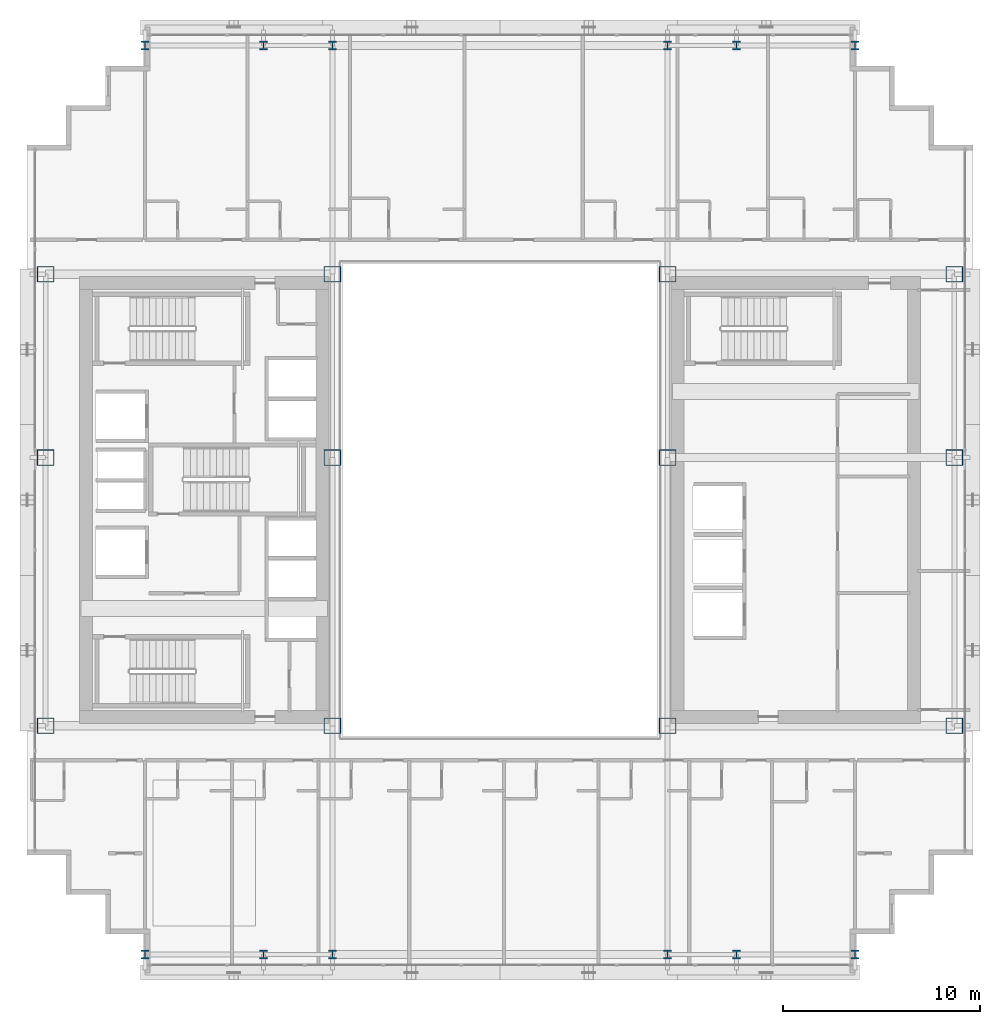
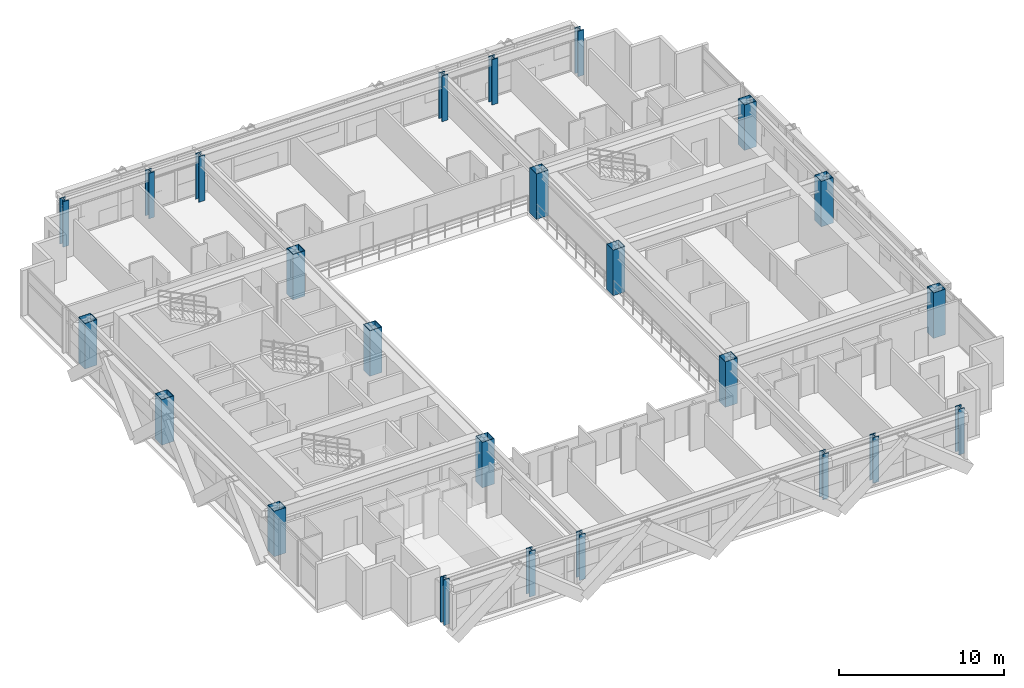
# One storey, part 1 of 36: 24 columns.
"""IFC4 building model written with IfcOpenShell, lengths in metres."""

import ifcopenshell
import ifcopenshell.guid

model = None  # the IFC model being written
_history = None  # IfcOwnerHistory: only IFC2X3 demands one
_inside = {}  # id of a spatial element -> (the spatial element, [elements in it])
_under = {}  # id of a project, library or spatial element -> (it, [spatial elements below it])
_declared = {}  # id of a project -> (the project, [libraries it declares])
_typed = {}  # id of a type object -> (the type object, [elements of that type])
_made_of = {}  # id of a material, layer set ... -> (it, [elements and type objects made of it])


def new_model(schema):
    """Start an empty IFC model of exactly this schema.

    Asked for "IFC4X3", IfcOpenShell would pick the latest addendum, in which some entities
    have other attributes; the version numbers below select the first issue.
    IFC2X3 requires an IfcOwnerHistory on every rooted entity: one is made here for all.
    """
    global model, _history
    if schema == "IFC4X3":
        model = ifcopenshell.file(schema_version=(4, 3, 0, 0))
    else:
        model = ifcopenshell.file(schema=schema)
    _inside.clear()
    _under.clear()
    _declared.clear()
    _typed.clear()
    _made_of.clear()
    _history = None
    if model.schema == "IFC2X3":
        org = make("IfcOrganization", Name="unknown")
        user = make(
            "IfcPersonAndOrganization",
            ThePerson=make("IfcPerson", FamilyName="unknown"),
            TheOrganization=org,
        )
        app = make(
            "IfcApplication",
            ApplicationDeveloper=org,
            Version="unknown",
            ApplicationFullName="unknown",
            ApplicationIdentifier="unknown",
        )
        _history = make(
            "IfcOwnerHistory",
            OwningUser=user,
            OwningApplication=app,
            ChangeAction="ADDED",
            CreationDate=0,
        )
    return model


def make(cls, **values):
    """One entity of the class cls with the attributes given. An attribute that is None is left unset."""
    return model.create_entity(
        cls, **{name: value for name, value in values.items() if value is not None}
    )


def rooted(cls, **values):
    """An entity with a GlobalId (a new one), such as an element, a storey or a relation."""
    return make(cls, GlobalId=ifcopenshell.guid.new(), OwnerHistory=_history, **values)


def si_unit(unit_type, name, prefix=None):
    """IfcSIUnit, for example si_unit("LENGTHUNIT", "METRE", prefix="MILLI")."""
    return make("IfcSIUnit", UnitType=unit_type, Prefix=prefix, Name=name)


def assignment(units):
    """IfcUnitAssignment: the units of a project."""
    return None if units is None else make("IfcUnitAssignment", Units=units)


def point(xyz):
    """IfcCartesianPoint."""
    return None if xyz is None else make("IfcCartesianPoint", Coordinates=xyz)


def direction(xyz):
    """IfcDirection."""
    return None if xyz is None else make("IfcDirection", DirectionRatios=xyz)


def frame(location, z_axis=None, x_axis=None):
    """IfcAxis2Placement3D, a coordinate frame: its origin and axes. An axis left out is left unset."""
    return make(
        "IfcAxis2Placement3D",
        Location=point(location),
        Axis=direction(z_axis),
        RefDirection=direction(x_axis),
    )


def frame_2d(location, x_axis=None):
    """IfcAxis2Placement2D, a coordinate frame in the plane: its origin and x axis."""
    return make(
        "IfcAxis2Placement2D", Location=point(location), RefDirection=direction(x_axis)
    )


def origin():
    """The frame at (0, 0, 0) with its axes left unset."""
    return frame((0.0, 0.0, 0.0))


def origin_2d():
    """The frame at (0, 0) in the plane with its x axis left unset."""
    return frame_2d((0.0, 0.0))


def place(relative_to, where):
    """IfcLocalPlacement: puts the frame where relative to a parent placement (None: the world)."""
    return make(
        "IfcLocalPlacement", PlacementRelTo=relative_to, RelativePlacement=where
    )


def context(
    kind, dimensions, precision=None, world=None, true_north=None, identifier=None
):
    """IfcGeometricRepresentationContext, for example the 3D "Model" context."""
    return make(
        "IfcGeometricRepresentationContext",
        ContextIdentifier=identifier,
        ContextType=kind,
        CoordinateSpaceDimension=dimensions,
        Precision=precision,
        WorldCoordinateSystem=world,
        TrueNorth=true_north,
    )


def subcontext(parent, identifier, kind, view, scale=None):
    """IfcGeometricRepresentationSubContext, for example "Body" below "Model"."""
    return make(
        "IfcGeometricRepresentationSubContext",
        ContextIdentifier=identifier,
        ContextType=kind,
        ParentContext=parent,
        TargetScale=scale,
        TargetView=view,
    )


def project(units=None, contexts=None):
    """IfcProject with its units and contexts."""
    return rooted(
        "IfcProject",
        Name="project",
        RepresentationContexts=contexts,
        UnitsInContext=assignment(units),
    )


def spatial(cls, under=None, at=None, **own):
    """A site, building, storey or space (cls), placed at a placement, below another one or the project."""
    s = rooted(cls, ObjectPlacement=at, **own)
    if under is not None:
        _under.setdefault(under.id(), (under, []))[1].append(s)
    return s


def profile(cls, at=None, kind="AREA", **sizes):
    """A parametric profile (cls). Its sizes go by their IFC names, for example OverallWidth=200.0."""
    return make(cls, ProfileType=kind, Position=at, **sizes)


def hollow_rectangle(**sizes):
    """IfcRectangleHollowProfileDef."""
    return profile("IfcRectangleHollowProfileDef", **sizes)


def i_section(**sizes):
    """IfcIShapeProfileDef."""
    return profile("IfcIShapeProfileDef", **sizes)


def extrude(swept, where, along, depth):
    """IfcExtrudedAreaSolid: the profile swept, set in the frame where, extruded along a direction by depth."""
    return make(
        "IfcExtrudedAreaSolid",
        SweptArea=swept,
        Position=where,
        ExtrudedDirection=direction(along),
        Depth=depth,
    )


def shape(context_of_items, identifier, shape_type, items):
    """IfcShapeRepresentation: the items that make up one representation, for example the "Body"."""
    return make(
        "IfcShapeRepresentation",
        ContextOfItems=context_of_items,
        RepresentationIdentifier=identifier,
        RepresentationType=shape_type,
        Items=items,
    )


def source(mapping_origin, context_of_items, identifier, shape_type, items):
    """IfcRepresentationMap: a shape defined once, which mapped items show again and again."""
    return make(
        "IfcRepresentationMap",
        MappingOrigin=mapping_origin,
        MappedRepresentation=shape(context_of_items, identifier, shape_type, items),
    )


def transform(
    local_origin,
    x_axis=None,
    y_axis=None,
    z_axis=None,
    scale=None,
    scale2=None,
    scale3=None,
    uniform=True,
):
    """IfcCartesianTransformationOperator3D, or its non-uniform kind. x_axis, y_axis, z_axis: its Axis1, 2, 3."""
    if uniform:
        return make(
            "IfcCartesianTransformationOperator3D",
            Axis1=direction(x_axis),
            Axis2=direction(y_axis),
            LocalOrigin=point(local_origin),
            Scale=scale,
            Axis3=direction(z_axis),
        )
    return make(
        "IfcCartesianTransformationOperator3DnonUniform",
        Axis1=direction(x_axis),
        Axis2=direction(y_axis),
        LocalOrigin=point(local_origin),
        Scale=scale,
        Axis3=direction(z_axis),
        Scale2=scale2,
        Scale3=scale3,
    )


def mapped(mapping_source, mapping_target):
    """IfcMappedItem: shows the shape of a source again, moved by a transform."""
    return make(
        "IfcMappedItem", MappingSource=mapping_source, MappingTarget=mapping_target
    )


def material(Name=None, Category=None):
    """IfcMaterial."""
    return make("IfcMaterial", Name=Name, Category=Category)


def material_profile(
    of_material, cross_section, Name=None, Category=None, Priority=None
):
    """IfcMaterialProfile: a cross section and its material."""
    return make(
        "IfcMaterialProfile",
        Name=Name,
        Material=of_material,
        Profile=cross_section,
        Priority=Priority,
        Category=Category,
    )


def profile_set(profiles, Name=None, composite=None):
    """IfcMaterialProfileSet."""
    return make(
        "IfcMaterialProfileSet",
        Name=Name,
        MaterialProfiles=profiles,
        CompositeProfile=composite,
    )


def made_of(thing, what):
    """Note that an element or type object is made of a material, layer set ...; save() writes the relation."""
    if what is not None:
        _made_of.setdefault(what.id(), (what, []))[1].append(thing)
    return thing


def type_object(cls, material=None, **own):
    """A type object (cls), such as IfcWallType, which elements share."""
    return made_of(rooted(cls, **own), material)


def element(
    cls,
    number,
    at=None,
    inside=None,
    cuts=None,
    type_object=None,
    material=None,
    context=None,
    identifier="Body",
    shape_type=None,
    held_by="IfcProductDefinitionShape",
    body=None,
    shapes=None,
    **own,
):
    """One element of the class cls, such as IfcWall. Its Tag is "e" and its number.

    at: its placement. inside: the storey or other place that contains it. cuts: it is an
    opening in that element (IfcRelVoidsElement). A single representation is given by context,
    identifier, shape_type and body (its items); several are given by shapes. held_by: the class
    of the entity that holds the representations. save() writes the other relations.
    """
    e = rooted(cls, Tag="e%d" % number, ObjectPlacement=at, **own)
    if body is not None:
        shapes = [shape(context, identifier, shape_type, body)]
    if shapes is not None:
        e.Representation = make(held_by, Representations=shapes)
    if inside is not None:
        _inside.setdefault(inside.id(), (inside, []))[1].append(e)
    if cuts is not None:
        rooted(
            "IfcRelVoidsElement", RelatingBuildingElement=cuts, RelatedOpeningElement=e
        )
    if type_object is not None:
        _typed.setdefault(type_object.id(), (type_object, []))[1].append(e)
    return made_of(e, material)


def aggregate(whole, parts):
    """IfcRelAggregates: a whole, such as a stair, and the parts it consists of."""
    return rooted("IfcRelAggregates", RelatingObject=whole, RelatedObjects=parts)


def save(model, path):
    """Write the relations noted so far, then the file.

    IfcRelAggregates (storeys below a building ...), IfcRelContainedInSpatialStructure (elements
    in a storey), IfcRelDefinesByType, IfcRelAssociatesMaterial and IfcRelDeclares: one each for
    every whole, place, type object, material and project.
    """
    for whole, parts in _under.values():
        aggregate(whole, parts)
    for where, things in _inside.values():
        rooted(
            "IfcRelContainedInSpatialStructure",
            RelatedElements=things,
            RelatingStructure=where,
        )
    for kind, things in _typed.values():
        rooted("IfcRelDefinesByType", RelatedObjects=things, RelatingType=kind)
    for what, things in _made_of.values():
        rooted("IfcRelAssociatesMaterial", RelatedObjects=things, RelatingMaterial=what)
    for by, libraries in _declared.values():
        rooted("IfcRelDeclares", RelatingContext=by, RelatedDefinitions=libraries)
    model.write(path)


model = new_model("IFC4")

# Units and contexts
model_context = context("Model", 3, precision=1e-05, world=origin(), true_north=direction((0.0, 1.0)))
body_context = subcontext(model_context, "Body", "Model", "MODEL_VIEW")
ifc_project = project(units=[si_unit("LENGTHUNIT", "METRE"), si_unit("AREAUNIT", "SQUARE_METRE"), si_unit("VOLUMEUNIT", "CUBIC_METRE"), si_unit("PLANEANGLEUNIT", "RADIAN"), si_unit("MASSUNIT", "GRAM", prefix="KILO")], contexts=[model_context])

# Site, building, storey
site_placement = place(None, origin())
site = spatial("IfcSite", under=ifc_project, at=site_placement, CompositionType="ELEMENT")
building_placement = place(site_placement, origin())
building = spatial("IfcBuilding", under=site, at=building_placement, Name="Ocotamira Hotel", CompositionType="ELEMENT")
storey_placement = place(building_placement, frame((0.0, 0.0, 97.199951171875)))
storey = spatial("IfcBuildingStorey", under=building, at=storey_placement, Name="L23", CompositionType="ELEMENT", Elevation=97.199951171875)

# Columns
ifc_material = material(Name="Steel ASTM A913 Grade 65", Category="steel")
ifc_material_profile_1 = material_profile(ifc_material, hollow_rectangle(XDim=0.85009765625, YDim=0.800048828125, WallThickness=0.031982421875, at=origin_2d()), Name="BOX800X850X32")
ifc_profile_set_1 = profile_set([ifc_material_profile_1], Name="Steel ASTM A913 Grade 65")
column_type_1 = type_object("IfcColumnType", Name="COL-BOX800", PredefinedType="COLUMN", material=ifc_profile_set_1)
shared_shape_1 = source(origin(), body_context, "Body", "SweptSolid", [
    extrude(hollow_rectangle(XDim=0.85009765625, YDim=0.800048828125, WallThickness=0.031982421875, at=origin_2d()), origin(), (0.0, 0.0, 1.0), 3.360107421875),
])
for number, where, z_axis, x_axis, name in (
    (1, (8.949951171875, 14.550048828125, 0.0), (0.0, 0.0, 1.0), (1.0, 0.0, 0.0), "L23 Column TW8_14"),
    (2, (23.5, 14.550048828125, 0.0), (0.0, 0.0, 1.0), (1.0, 0.0, 0.0), "L23 Column TW23_14"),
    (3, (40.5, 14.550048828125, 0.0), (0.0, 0.0, 1.0), (1.0, 0.0, 0.0), "L23 Column TE40_14"),
    (4, (55.050048828125, 14.550048828125, 0.0), (0.0, 0.0, 1.0), (1.0, 0.0, 0.0), "L23 Column TE55_14"),
    (5, (8.949951171875, 28.14990234375, 0.0), (0.0, 0.0, 1.0), (1.0, 0.0, 0.0), "L23 Column TW8_28"),
    (6, (23.5, 28.14990234375, 0.0), (0.0, 0.0, 1.0), (1.0, 0.0, 0.0), "L23 Column TW23_28"),
    (7, (40.5, 28.14990234375, 0.0), (0.0, 0.0, 1.0), (1.0, 0.0, 0.0), "L23 Column TE40_28"),
    (8, (55.050048828125, 28.14990234375, 0.0), (0.0, 0.0, 1.0), (1.0, 0.0, 0.0), "L23 Column TE55_28"),
    (9, (8.949951171875, 37.449951171875, 0.0), (0.0, 0.0, 1.0), (1.0, 0.0, 0.0), "L23 Column TW8_37"),
    (10, (23.5, 37.449951171875, 0.0), (0.0, 0.0, 1.0), (1.0, 0.0, 0.0), "L23 Column TW23_37"),
    (11, (40.5, 37.449951171875, 0.0), (0.0, 0.0, 1.0), (1.0, 0.0, 0.0), "L23 Column TE40_37"),
    (12, (55.050048828125, 37.449951171875, 0.0), (0.0, 0.0, 1.0), (1.0, 0.0, 0.0), "L23 Column TE55_37"),
):
    element("IfcColumn", number, at=place(storey_placement, frame(where, z_axis=z_axis, x_axis=x_axis)), inside=storey, type_object=column_type_1, Name=name, PredefinedType="COLUMN", context=body_context, shape_type="MappedRepresentation", body=[
        mapped(shared_shape_1, transform((0.0, 0.0, 0.0), scale=1.0)),
    ])
ifc_material_profile_2 = material_profile(ifc_material, i_section(OverallWidth=0.412109375, OverallDepth=0.43505859375, WebThickness=0.035888671875, FlangeThickness=0.057373046875, FilletRadius=0.02490234375, at=origin_2d()), Name="W14X311")
ifc_profile_set_2 = profile_set([ifc_material_profile_2], Name="Steel ASTM A913 Grade 65")
column_type_2 = type_object("IfcColumnType", Name="COL-W14X311", PredefinedType="COLUMN", material=ifc_profile_set_2)
shared_shape_2 = source(origin(), body_context, "Body", "SweptSolid", [
    extrude(i_section(OverallWidth=0.412109375, OverallDepth=0.43505859375, WebThickness=0.035888671875, FlangeThickness=0.057373046875, FilletRadius=0.02490234375, at=origin_2d()), origin(), (0.0, 0.0, 1.0), 3.360107421875),
])
for number, where, z_axis, x_axis, name in (
    (13, (14.0, 2.949951171875, 0.0), (0.0, 0.0, 1.0), (1.0, 0.0, 0.0), "L23 Column NSP1_14"),
    (14, (20.0, 2.949951171875, 0.0), (0.0, 0.0, 1.0), (1.0, 0.0, 0.0), "L23 Column NSP1_20"),
    (15, (23.5, 2.949951171875, 0.0), (0.0, 0.0, 1.0), (1.0, 0.0, 0.0), "L23 Column NSP1_23"),
    (16, (40.5, 2.949951171875, 0.0), (0.0, 0.0, 1.0), (1.0, 0.0, 0.0), "L23 Column NSP1_40"),
    (17, (44.0, 2.949951171875, 0.0), (0.0, 0.0, 1.0), (1.0, 0.0, 0.0), "L23 Column NSP1_44"),
    (18, (50.0, 2.949951171875, 0.0), (0.0, 0.0, 1.0), (1.0, 0.0, 0.0), "L23 Column NSP1_50"),
    (19, (14.0, 49.050048828125, 0.0), (0.0, 0.0, 1.0), (1.0, 0.0, 0.0), "L23 Column NSP2_14"),
    (20, (20.0, 49.050048828125, 0.0), (0.0, 0.0, 1.0), (1.0, 0.0, 0.0), "L23 Column NSP2_20"),
    (21, (23.5, 49.050048828125, 0.0), (0.0, 0.0, 1.0), (1.0, 0.0, 0.0), "L23 Column NSP2_23"),
    (22, (40.5, 49.050048828125, 0.0), (0.0, 0.0, 1.0), (1.0, 0.0, 0.0), "L23 Column NSP2_40"),
    (23, (44.0, 49.050048828125, 0.0), (0.0, 0.0, 1.0), (1.0, 0.0, 0.0), "L23 Column NSP2_44"),
    (24, (50.0, 49.050048828125, 0.0), (0.0, 0.0, 1.0), (1.0, 0.0, 0.0), "L23 Column NSP2_50"),
):
    element("IfcColumn", number, at=place(storey_placement, frame(where, z_axis=z_axis, x_axis=x_axis)), inside=storey, type_object=column_type_2, Name=name, PredefinedType="COLUMN", context=body_context, shape_type="MappedRepresentation", body=[
        mapped(shared_shape_2, transform((0.0, 0.0, 0.0), scale=1.0)),
    ])

save(model, "model.ifc")
